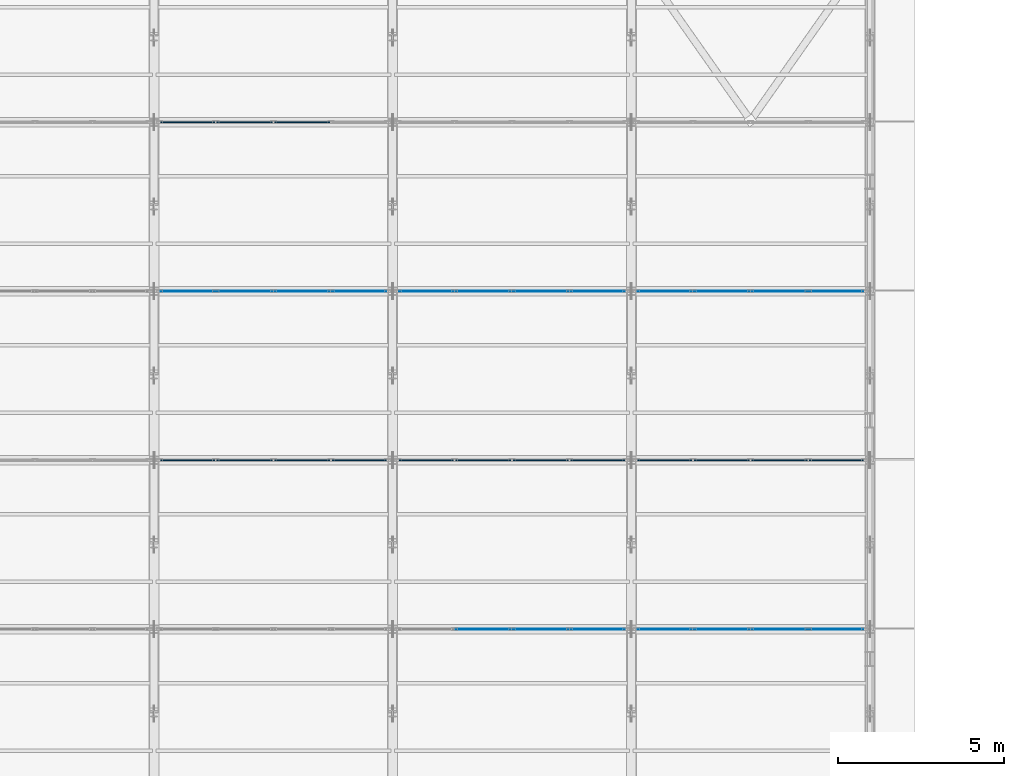
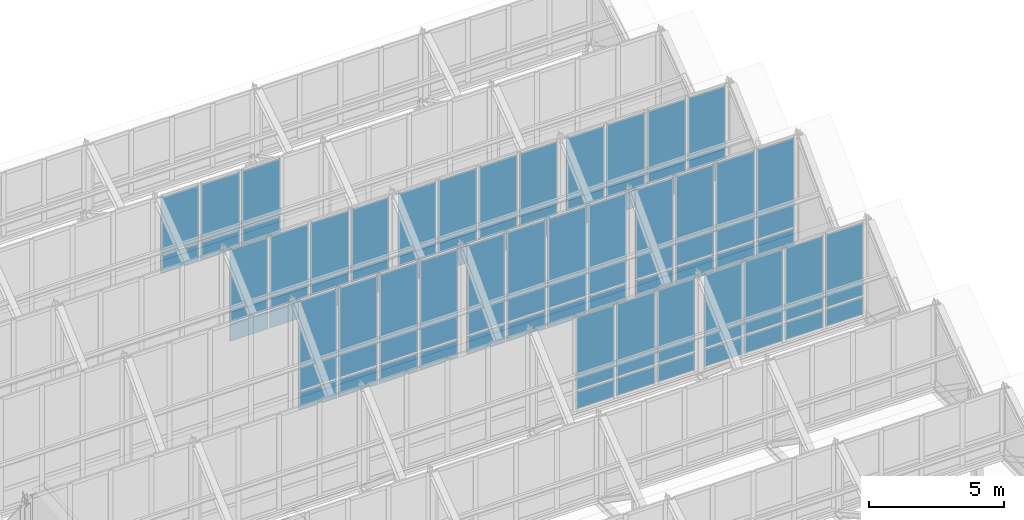
# One storey, part 103 of 157: 68 plates, 9 elements without a shape of their own.
"""IFC4 building model written with IfcOpenShell, lengths in metres."""

from ifc_helpers import new_model, si_unit, direction, frame, origin, origin_2d, place, context, subcontext, project, spatial, rectangle, extrude, material, layer, layer_set, type_object, element, aggregate, save


model = new_model("IFC4")

# Units and contexts
model_context = context("Model", 3, precision=1e-05, world=origin(), true_north=direction((0.0, 1.0)))
body_context = subcontext(model_context, "Body", "Model", "MODEL_VIEW")
ifc_project = project(units=[si_unit("LENGTHUNIT", "METRE"), si_unit("AREAUNIT", "SQUARE_METRE"), si_unit("VOLUMEUNIT", "CUBIC_METRE"), si_unit("PLANEANGLEUNIT", "RADIAN"), si_unit("MASSUNIT", "GRAM", prefix="KILO")], contexts=[model_context])

# Site, building, storey
site_placement = place(None, origin())
site = spatial("IfcSite", under=ifc_project, at=site_placement, CompositionType="ELEMENT")
building_placement = place(site_placement, origin())
building = spatial("IfcBuilding", under=site, at=building_placement, Name="Suanplinth Sawtooth Commons", CompositionType="ELEMENT")
storey_placement = place(building_placement, frame((0.0, 0.0, 9.0)))
storey = spatial("IfcBuildingStorey", under=building, at=storey_placement, Name="L02", CompositionType="ELEMENT", Elevation=9.0)

# Curtain wall, plates
ifc_material_1 = material(Name="Anodized aluminium and low-E glazing", Category="aluminium")
curtain_wall_type = type_object("IfcCurtainWallType", Name="CW-03", PredefinedType="USERDEFINED", material=ifc_material_1)
curtain_wall_1_placement = place(storey_placement, origin())
curtain_wall_1 = element("IfcCurtainWall", 1, at=curtain_wall_1_placement, inside=storey, type_object=curtain_wall_type, Name="Curtain Wall CW-SAW-T3-B6", ObjectType="CURTAIN WALL", PredefinedType="USERDEFINED")
ifc_material_2 = material(Name="Diffused north-light laminated glazing", Category="glass")
ifc_layer_1 = layer(ifc_material_2, 0.02587890625, Name="Sawtooth north-light diffused glazing panel 26mm")
ifc_layer_set_1 = layer_set([ifc_layer_1], Name="Diffused north-light laminated glazing")
plate_type_1 = type_object("IfcPlateType", Name="PL-07", PredefinedType="CURTAIN_PANEL", material=ifc_layer_set_1)
plate_1_placement = place(storey_placement, frame((103.530029296875, 65.699951171875, 3.054931640625), z_axis=(0.0, 0.0, 1.0), x_axis=(1.0, 0.0, 0.0)))
plate_1 = element("IfcPlate", 2, at=plate_1_placement, type_object=plate_type_1, Name="CW-03 panel 2.1", PredefinedType="CURTAIN_PANEL", context=body_context, shape_type="SweptSolid", body=[
    extrude(rectangle(XDim=1.6650390625, YDim=0.02587890625, at=origin_2d()), origin(), (0.0, 0.0, 1.0), 0.78759765625),
])
plate_2_placement = place(storey_placement, frame((103.530029296875, 65.699951171875, 3.91748046875), z_axis=(0.0, 0.0, 1.0), x_axis=(1.0, 0.0, 0.0)))
plate_2 = element("IfcPlate", 3, at=plate_2_placement, type_object=plate_type_1, Name="CW-03 panel 2.2", PredefinedType="CURTAIN_PANEL", context=body_context, shape_type="SweptSolid", body=[
    extrude(rectangle(XDim=1.6650390625, YDim=0.02587890625, at=origin_2d()), origin(), (0.0, 0.0, 1.0), 3.297607421875),
])
plate_3_placement = place(storey_placement, frame((105.27001953125, 65.699951171875, 3.054931640625), z_axis=(0.0, 0.0, 1.0), x_axis=(1.0, 0.0, 0.0)))
plate_3 = element("IfcPlate", 4, at=plate_3_placement, type_object=plate_type_1, Name="CW-03 panel 3.1", PredefinedType="CURTAIN_PANEL", context=body_context, shape_type="SweptSolid", body=[
    extrude(rectangle(XDim=1.6650390625, YDim=0.02587890625, at=origin_2d()), origin(), (0.0, 0.0, 1.0), 0.78759765625),
])
plate_4_placement = place(storey_placement, frame((105.27001953125, 65.699951171875, 3.91748046875), z_axis=(0.0, 0.0, 1.0), x_axis=(1.0, 0.0, 0.0)))
plate_4 = element("IfcPlate", 5, at=plate_4_placement, type_object=plate_type_1, Name="CW-03 panel 3.2", PredefinedType="CURTAIN_PANEL", context=body_context, shape_type="SweptSolid", body=[
    extrude(rectangle(XDim=1.6650390625, YDim=0.02587890625, at=origin_2d()), origin(), (0.0, 0.0, 1.0), 3.297607421875),
])
plate_5_placement = place(storey_placement, frame((106.9912109375, 65.699951171875, 3.054931640625), z_axis=(0.0, 0.0, 1.0), x_axis=(1.0, 0.0, 0.0)))
plate_5 = element("IfcPlate", 6, at=plate_5_placement, type_object=plate_type_1, Name="CW-03 panel 4.1", PredefinedType="CURTAIN_PANEL", context=body_context, shape_type="SweptSolid", body=[
    extrude(rectangle(XDim=1.62744140625, YDim=0.02587890625, at=origin_2d()), origin(), (0.0, 0.0, 1.0), 0.78759765625),
])
plate_6_placement = place(storey_placement, frame((106.9912109375, 65.699951171875, 3.91748046875), z_axis=(0.0, 0.0, 1.0), x_axis=(1.0, 0.0, 0.0)))
plate_6 = element("IfcPlate", 7, at=plate_6_placement, type_object=plate_type_1, Name="CW-03 panel 4.2", PredefinedType="CURTAIN_PANEL", context=body_context, shape_type="SweptSolid", body=[
    extrude(rectangle(XDim=1.62744140625, YDim=0.02587890625, at=origin_2d()), origin(), (0.0, 0.0, 1.0), 3.297607421875),
])
aggregate(curtain_wall_1, [plate_1, plate_2, plate_3, plate_4, plate_5, plate_6])

curtain_wall_2_placement = place(storey_placement, origin())
curtain_wall_2 = element("IfcCurtainWall", 8, at=curtain_wall_2_placement, inside=storey, type_object=curtain_wall_type, Name="Curtain Wall CW-SAW-T3-B7", ObjectType="CURTAIN WALL", PredefinedType="USERDEFINED")
plate_7_placement = place(storey_placement, frame((109.0087890625, 65.699951171875, 3.054931640625), z_axis=(0.0, 0.0, 1.0), x_axis=(1.0, 0.0, 0.0)))
plate_7 = element("IfcPlate", 9, at=plate_7_placement, type_object=plate_type_1, Name="CW-03 panel 1.1", PredefinedType="CURTAIN_PANEL", context=body_context, shape_type="SweptSolid", body=[
    extrude(rectangle(XDim=1.62744140625, YDim=0.02587890625, at=origin_2d()), origin(), (0.0, 0.0, 1.0), 0.78759765625),
])
plate_8_placement = place(storey_placement, frame((109.0087890625, 65.699951171875, 3.91748046875), z_axis=(0.0, 0.0, 1.0), x_axis=(1.0, 0.0, 0.0)))
plate_8 = element("IfcPlate", 10, at=plate_8_placement, type_object=plate_type_1, Name="CW-03 panel 1.2", PredefinedType="CURTAIN_PANEL", context=body_context, shape_type="SweptSolid", body=[
    extrude(rectangle(XDim=1.62744140625, YDim=0.02587890625, at=origin_2d()), origin(), (0.0, 0.0, 1.0), 3.297607421875),
])
plate_9_placement = place(storey_placement, frame((110.72998046875, 65.699951171875, 3.054931640625), z_axis=(0.0, 0.0, 1.0), x_axis=(1.0, 0.0, 0.0)))
plate_9 = element("IfcPlate", 11, at=plate_9_placement, type_object=plate_type_1, Name="CW-03 panel 2.1", PredefinedType="CURTAIN_PANEL", context=body_context, shape_type="SweptSolid", body=[
    extrude(rectangle(XDim=1.6650390625, YDim=0.02587890625, at=origin_2d()), origin(), (0.0, 0.0, 1.0), 0.78759765625),
])
plate_10_placement = place(storey_placement, frame((110.72998046875, 65.699951171875, 3.91748046875), z_axis=(0.0, 0.0, 1.0), x_axis=(1.0, 0.0, 0.0)))
plate_10 = element("IfcPlate", 12, at=plate_10_placement, type_object=plate_type_1, Name="CW-03 panel 2.2", PredefinedType="CURTAIN_PANEL", context=body_context, shape_type="SweptSolid", body=[
    extrude(rectangle(XDim=1.6650390625, YDim=0.02587890625, at=origin_2d()), origin(), (0.0, 0.0, 1.0), 3.297607421875),
])
plate_11_placement = place(storey_placement, frame((112.469970703125, 65.699951171875, 3.054931640625), z_axis=(0.0, 0.0, 1.0), x_axis=(1.0, 0.0, 0.0)))
plate_11 = element("IfcPlate", 13, at=plate_11_placement, type_object=plate_type_1, Name="CW-03 panel 3.1", PredefinedType="CURTAIN_PANEL", context=body_context, shape_type="SweptSolid", body=[
    extrude(rectangle(XDim=1.6650390625, YDim=0.02587890625, at=origin_2d()), origin(), (0.0, 0.0, 1.0), 0.78759765625),
])
plate_12_placement = place(storey_placement, frame((112.469970703125, 65.699951171875, 3.91748046875), z_axis=(0.0, 0.0, 1.0), x_axis=(1.0, 0.0, 0.0)))
plate_12 = element("IfcPlate", 14, at=plate_12_placement, type_object=plate_type_1, Name="CW-03 panel 3.2", PredefinedType="CURTAIN_PANEL", context=body_context, shape_type="SweptSolid", body=[
    extrude(rectangle(XDim=1.6650390625, YDim=0.02587890625, at=origin_2d()), origin(), (0.0, 0.0, 1.0), 3.297607421875),
])
plate_13_placement = place(storey_placement, frame((114.191162109375, 65.699951171875, 3.054931640625), z_axis=(0.0, 0.0, 1.0), x_axis=(1.0, 0.0, 0.0)))
plate_13 = element("IfcPlate", 15, at=plate_13_placement, type_object=plate_type_1, Name="CW-03 panel 4.1", PredefinedType="CURTAIN_PANEL", context=body_context, shape_type="SweptSolid", body=[
    extrude(rectangle(XDim=1.62744140625, YDim=0.02587890625, at=origin_2d()), origin(), (0.0, 0.0, 1.0), 0.78759765625),
])
plate_14_placement = place(storey_placement, frame((114.191162109375, 65.699951171875, 3.91748046875), z_axis=(0.0, 0.0, 1.0), x_axis=(1.0, 0.0, 0.0)))
plate_14 = element("IfcPlate", 16, at=plate_14_placement, type_object=plate_type_1, Name="CW-03 panel 4.2", PredefinedType="CURTAIN_PANEL", context=body_context, shape_type="SweptSolid", body=[
    extrude(rectangle(XDim=1.62744140625, YDim=0.02587890625, at=origin_2d()), origin(), (0.0, 0.0, 1.0), 3.297607421875),
])
aggregate(curtain_wall_2, [plate_7, plate_8, plate_9, plate_10, plate_11, plate_12, plate_13, plate_14])

curtain_wall_3_placement = place(storey_placement, origin())
curtain_wall_3 = element("IfcCurtainWall", 17, at=curtain_wall_3_placement, inside=storey, type_object=curtain_wall_type, Name="Curtain Wall CW-SAW-T5-B5", ObjectType="CURTAIN WALL", PredefinedType="USERDEFINED")
plate_15_placement = place(storey_placement, frame((94.608642578125, 75.89990234375, 3.054931640625), z_axis=(0.0, 0.0, 1.0), x_axis=(1.0, 0.0, 0.0)))
plate_15 = element("IfcPlate", 18, at=plate_15_placement, type_object=plate_type_1, Name="CW-03 panel 1.1", PredefinedType="CURTAIN_PANEL", context=body_context, shape_type="SweptSolid", body=[
    extrude(rectangle(XDim=1.62744140625, YDim=0.02587890625, at=origin_2d()), origin(), (0.0, 0.0, 1.0), 0.78759765625),
])
plate_16_placement = place(storey_placement, frame((94.608642578125, 75.89990234375, 3.91748046875), z_axis=(0.0, 0.0, 1.0), x_axis=(1.0, 0.0, 0.0)))
plate_16 = element("IfcPlate", 19, at=plate_16_placement, type_object=plate_type_1, Name="CW-03 panel 1.2", PredefinedType="CURTAIN_PANEL", context=body_context, shape_type="SweptSolid", body=[
    extrude(rectangle(XDim=1.62744140625, YDim=0.02587890625, at=origin_2d()), origin(), (0.0, 0.0, 1.0), 3.297607421875),
])
plate_17_placement = place(storey_placement, frame((96.330078125, 75.89990234375, 3.054931640625), z_axis=(0.0, 0.0, 1.0), x_axis=(1.0, 0.0, 0.0)))
plate_17 = element("IfcPlate", 20, at=plate_17_placement, type_object=plate_type_1, Name="CW-03 panel 2.1", PredefinedType="CURTAIN_PANEL", context=body_context, shape_type="SweptSolid", body=[
    extrude(rectangle(XDim=1.6650390625, YDim=0.02587890625, at=origin_2d()), origin(), (0.0, 0.0, 1.0), 0.78759765625),
])
plate_18_placement = place(storey_placement, frame((96.330078125, 75.89990234375, 3.91748046875), z_axis=(0.0, 0.0, 1.0), x_axis=(1.0, 0.0, 0.0)))
plate_18 = element("IfcPlate", 21, at=plate_18_placement, type_object=plate_type_1, Name="CW-03 panel 2.2", PredefinedType="CURTAIN_PANEL", context=body_context, shape_type="SweptSolid", body=[
    extrude(rectangle(XDim=1.6650390625, YDim=0.02587890625, at=origin_2d()), origin(), (0.0, 0.0, 1.0), 3.297607421875),
])
plate_19_placement = place(storey_placement, frame((98.070068359375, 75.89990234375, 3.054931640625), z_axis=(0.0, 0.0, 1.0), x_axis=(1.0, 0.0, 0.0)))
plate_19 = element("IfcPlate", 22, at=plate_19_placement, type_object=plate_type_1, Name="CW-03 panel 3.1", PredefinedType="CURTAIN_PANEL", context=body_context, shape_type="SweptSolid", body=[
    extrude(rectangle(XDim=1.6650390625, YDim=0.02587890625, at=origin_2d()), origin(), (0.0, 0.0, 1.0), 0.78759765625),
])
plate_20_placement = place(storey_placement, frame((98.070068359375, 75.89990234375, 3.91748046875), z_axis=(0.0, 0.0, 1.0), x_axis=(1.0, 0.0, 0.0)))
plate_20 = element("IfcPlate", 23, at=plate_20_placement, type_object=plate_type_1, Name="CW-03 panel 3.2", PredefinedType="CURTAIN_PANEL", context=body_context, shape_type="SweptSolid", body=[
    extrude(rectangle(XDim=1.6650390625, YDim=0.02587890625, at=origin_2d()), origin(), (0.0, 0.0, 1.0), 3.297607421875),
])
plate_21_placement = place(storey_placement, frame((99.791259765625, 75.89990234375, 3.054931640625), z_axis=(0.0, 0.0, 1.0), x_axis=(1.0, 0.0, 0.0)))
plate_21 = element("IfcPlate", 24, at=plate_21_placement, type_object=plate_type_1, Name="CW-03 panel 4.1", PredefinedType="CURTAIN_PANEL", context=body_context, shape_type="SweptSolid", body=[
    extrude(rectangle(XDim=1.62744140625, YDim=0.02587890625, at=origin_2d()), origin(), (0.0, 0.0, 1.0), 0.78759765625),
])
plate_22_placement = place(storey_placement, frame((99.791259765625, 75.89990234375, 3.91748046875), z_axis=(0.0, 0.0, 1.0), x_axis=(1.0, 0.0, 0.0)))
plate_22 = element("IfcPlate", 25, at=plate_22_placement, type_object=plate_type_1, Name="CW-03 panel 4.2", PredefinedType="CURTAIN_PANEL", context=body_context, shape_type="SweptSolid", body=[
    extrude(rectangle(XDim=1.62744140625, YDim=0.02587890625, at=origin_2d()), origin(), (0.0, 0.0, 1.0), 3.297607421875),
])
aggregate(curtain_wall_3, [plate_15, plate_16, plate_17, plate_18, plate_19, plate_20, plate_21, plate_22])

curtain_wall_4_placement = place(storey_placement, origin())
curtain_wall_4 = element("IfcCurtainWall", 26, at=curtain_wall_4_placement, inside=storey, type_object=curtain_wall_type, Name="Curtain Wall CW-SAW-T5-B6", ObjectType="CURTAIN WALL", PredefinedType="USERDEFINED")
plate_23_placement = place(storey_placement, frame((101.808837890625, 75.89990234375, 3.054931640625), z_axis=(0.0, 0.0, 1.0), x_axis=(1.0, 0.0, 0.0)))
plate_23 = element("IfcPlate", 27, at=plate_23_placement, type_object=plate_type_1, Name="CW-03 panel 1.1", PredefinedType="CURTAIN_PANEL", context=body_context, shape_type="SweptSolid", body=[
    extrude(rectangle(XDim=1.62744140625, YDim=0.02587890625, at=origin_2d()), origin(), (0.0, 0.0, 1.0), 0.78759765625),
])
plate_24_placement = place(storey_placement, frame((101.808837890625, 75.89990234375, 3.91748046875), z_axis=(0.0, 0.0, 1.0), x_axis=(1.0, 0.0, 0.0)))
plate_24 = element("IfcPlate", 28, at=plate_24_placement, type_object=plate_type_1, Name="CW-03 panel 1.2", PredefinedType="CURTAIN_PANEL", context=body_context, shape_type="SweptSolid", body=[
    extrude(rectangle(XDim=1.62744140625, YDim=0.02587890625, at=origin_2d()), origin(), (0.0, 0.0, 1.0), 3.297607421875),
])
plate_25_placement = place(storey_placement, frame((103.530029296875, 75.89990234375, 3.054931640625), z_axis=(0.0, 0.0, 1.0), x_axis=(1.0, 0.0, 0.0)))
plate_25 = element("IfcPlate", 29, at=plate_25_placement, type_object=plate_type_1, Name="CW-03 panel 2.1", PredefinedType="CURTAIN_PANEL", context=body_context, shape_type="SweptSolid", body=[
    extrude(rectangle(XDim=1.6650390625, YDim=0.02587890625, at=origin_2d()), origin(), (0.0, 0.0, 1.0), 0.78759765625),
])
plate_26_placement = place(storey_placement, frame((103.530029296875, 75.89990234375, 3.91748046875), z_axis=(0.0, 0.0, 1.0), x_axis=(1.0, 0.0, 0.0)))
plate_26 = element("IfcPlate", 30, at=plate_26_placement, type_object=plate_type_1, Name="CW-03 panel 2.2", PredefinedType="CURTAIN_PANEL", context=body_context, shape_type="SweptSolid", body=[
    extrude(rectangle(XDim=1.6650390625, YDim=0.02587890625, at=origin_2d()), origin(), (0.0, 0.0, 1.0), 3.297607421875),
])
plate_27_placement = place(storey_placement, frame((105.27001953125, 75.89990234375, 3.054931640625), z_axis=(0.0, 0.0, 1.0), x_axis=(1.0, 0.0, 0.0)))
plate_27 = element("IfcPlate", 31, at=plate_27_placement, type_object=plate_type_1, Name="CW-03 panel 3.1", PredefinedType="CURTAIN_PANEL", context=body_context, shape_type="SweptSolid", body=[
    extrude(rectangle(XDim=1.6650390625, YDim=0.02587890625, at=origin_2d()), origin(), (0.0, 0.0, 1.0), 0.78759765625),
])
plate_28_placement = place(storey_placement, frame((105.27001953125, 75.89990234375, 3.91748046875), z_axis=(0.0, 0.0, 1.0), x_axis=(1.0, 0.0, 0.0)))
plate_28 = element("IfcPlate", 32, at=plate_28_placement, type_object=plate_type_1, Name="CW-03 panel 3.2", PredefinedType="CURTAIN_PANEL", context=body_context, shape_type="SweptSolid", body=[
    extrude(rectangle(XDim=1.6650390625, YDim=0.02587890625, at=origin_2d()), origin(), (0.0, 0.0, 1.0), 3.297607421875),
])
plate_29_placement = place(storey_placement, frame((106.9912109375, 75.89990234375, 3.054931640625), z_axis=(0.0, 0.0, 1.0), x_axis=(1.0, 0.0, 0.0)))
plate_29 = element("IfcPlate", 33, at=plate_29_placement, type_object=plate_type_1, Name="CW-03 panel 4.1", PredefinedType="CURTAIN_PANEL", context=body_context, shape_type="SweptSolid", body=[
    extrude(rectangle(XDim=1.62744140625, YDim=0.02587890625, at=origin_2d()), origin(), (0.0, 0.0, 1.0), 0.78759765625),
])
plate_30_placement = place(storey_placement, frame((106.9912109375, 75.89990234375, 3.91748046875), z_axis=(0.0, 0.0, 1.0), x_axis=(1.0, 0.0, 0.0)))
plate_30 = element("IfcPlate", 34, at=plate_30_placement, type_object=plate_type_1, Name="CW-03 panel 4.2", PredefinedType="CURTAIN_PANEL", context=body_context, shape_type="SweptSolid", body=[
    extrude(rectangle(XDim=1.62744140625, YDim=0.02587890625, at=origin_2d()), origin(), (0.0, 0.0, 1.0), 3.297607421875),
])
aggregate(curtain_wall_4, [plate_23, plate_24, plate_25, plate_26, plate_27, plate_28, plate_29, plate_30])

curtain_wall_5_placement = place(storey_placement, origin())
curtain_wall_5 = element("IfcCurtainWall", 35, at=curtain_wall_5_placement, inside=storey, type_object=curtain_wall_type, Name="Curtain Wall CW-SAW-T5-B7", ObjectType="CURTAIN WALL", PredefinedType="USERDEFINED")
plate_31_placement = place(storey_placement, frame((109.0087890625, 75.89990234375, 3.054931640625), z_axis=(0.0, 0.0, 1.0), x_axis=(1.0, 0.0, 0.0)))
plate_31 = element("IfcPlate", 36, at=plate_31_placement, type_object=plate_type_1, Name="CW-03 panel 1.1", PredefinedType="CURTAIN_PANEL", context=body_context, shape_type="SweptSolid", body=[
    extrude(rectangle(XDim=1.62744140625, YDim=0.02587890625, at=origin_2d()), origin(), (0.0, 0.0, 1.0), 0.78759765625),
])
plate_32_placement = place(storey_placement, frame((109.0087890625, 75.89990234375, 3.91748046875), z_axis=(0.0, 0.0, 1.0), x_axis=(1.0, 0.0, 0.0)))
plate_32 = element("IfcPlate", 37, at=plate_32_placement, type_object=plate_type_1, Name="CW-03 panel 1.2", PredefinedType="CURTAIN_PANEL", context=body_context, shape_type="SweptSolid", body=[
    extrude(rectangle(XDim=1.62744140625, YDim=0.02587890625, at=origin_2d()), origin(), (0.0, 0.0, 1.0), 3.297607421875),
])
plate_33_placement = place(storey_placement, frame((110.72998046875, 75.89990234375, 3.054931640625), z_axis=(0.0, 0.0, 1.0), x_axis=(1.0, 0.0, 0.0)))
plate_33 = element("IfcPlate", 38, at=plate_33_placement, type_object=plate_type_1, Name="CW-03 panel 2.1", PredefinedType="CURTAIN_PANEL", context=body_context, shape_type="SweptSolid", body=[
    extrude(rectangle(XDim=1.6650390625, YDim=0.02587890625, at=origin_2d()), origin(), (0.0, 0.0, 1.0), 0.78759765625),
])
plate_34_placement = place(storey_placement, frame((110.72998046875, 75.89990234375, 3.91748046875), z_axis=(0.0, 0.0, 1.0), x_axis=(1.0, 0.0, 0.0)))
plate_34 = element("IfcPlate", 39, at=plate_34_placement, type_object=plate_type_1, Name="CW-03 panel 2.2", PredefinedType="CURTAIN_PANEL", context=body_context, shape_type="SweptSolid", body=[
    extrude(rectangle(XDim=1.6650390625, YDim=0.02587890625, at=origin_2d()), origin(), (0.0, 0.0, 1.0), 3.297607421875),
])
plate_35_placement = place(storey_placement, frame((112.469970703125, 75.89990234375, 3.054931640625), z_axis=(0.0, 0.0, 1.0), x_axis=(1.0, 0.0, 0.0)))
plate_35 = element("IfcPlate", 40, at=plate_35_placement, type_object=plate_type_1, Name="CW-03 panel 3.1", PredefinedType="CURTAIN_PANEL", context=body_context, shape_type="SweptSolid", body=[
    extrude(rectangle(XDim=1.6650390625, YDim=0.02587890625, at=origin_2d()), origin(), (0.0, 0.0, 1.0), 0.78759765625),
])
plate_36_placement = place(storey_placement, frame((112.469970703125, 75.89990234375, 3.91748046875), z_axis=(0.0, 0.0, 1.0), x_axis=(1.0, 0.0, 0.0)))
plate_36 = element("IfcPlate", 41, at=plate_36_placement, type_object=plate_type_1, Name="CW-03 panel 3.2", PredefinedType="CURTAIN_PANEL", context=body_context, shape_type="SweptSolid", body=[
    extrude(rectangle(XDim=1.6650390625, YDim=0.02587890625, at=origin_2d()), origin(), (0.0, 0.0, 1.0), 3.297607421875),
])
plate_37_placement = place(storey_placement, frame((114.191162109375, 75.89990234375, 3.054931640625), z_axis=(0.0, 0.0, 1.0), x_axis=(1.0, 0.0, 0.0)))
plate_37 = element("IfcPlate", 42, at=plate_37_placement, type_object=plate_type_1, Name="CW-03 panel 4.1", PredefinedType="CURTAIN_PANEL", context=body_context, shape_type="SweptSolid", body=[
    extrude(rectangle(XDim=1.62744140625, YDim=0.02587890625, at=origin_2d()), origin(), (0.0, 0.0, 1.0), 0.78759765625),
])
plate_38_placement = place(storey_placement, frame((114.191162109375, 75.89990234375, 3.91748046875), z_axis=(0.0, 0.0, 1.0), x_axis=(1.0, 0.0, 0.0)))
plate_38 = element("IfcPlate", 43, at=plate_38_placement, type_object=plate_type_1, Name="CW-03 panel 4.2", PredefinedType="CURTAIN_PANEL", context=body_context, shape_type="SweptSolid", body=[
    extrude(rectangle(XDim=1.62744140625, YDim=0.02587890625, at=origin_2d()), origin(), (0.0, 0.0, 1.0), 3.297607421875),
])
aggregate(curtain_wall_5, [plate_31, plate_32, plate_33, plate_34, plate_35, plate_36, plate_37, plate_38])

curtain_wall_6_placement = place(storey_placement, origin())
curtain_wall_6 = element("IfcCurtainWall", 44, at=curtain_wall_6_placement, inside=storey, type_object=curtain_wall_type, Name="Curtain Wall CW-SAW-T4-B5", ObjectType="CURTAIN WALL", PredefinedType="USERDEFINED")
ifc_material_3 = material(Name="Diffused solar-control north-light glazing", Category="glass")
ifc_layer_2 = layer(ifc_material_3, 0.033935546875, Name="Sawtooth upper diffused glazing panel 34mm")
ifc_layer_set_2 = layer_set([ifc_layer_2], Name="Diffused solar-control north-light glazing")
plate_type_2 = type_object("IfcPlateType", Name="PL-09", PredefinedType="CURTAIN_PANEL", material=ifc_layer_set_2)
plate_39_placement = place(storey_placement, frame((94.608642578125, 70.800048828125, 3.054931640625), z_axis=(0.0, 0.0, 1.0), x_axis=(1.0, 0.0, 0.0)))
plate_39 = element("IfcPlate", 45, at=plate_39_placement, type_object=plate_type_2, Name="CW-03 panel 1.1", PredefinedType="CURTAIN_PANEL", context=body_context, shape_type="SweptSolid", body=[
    extrude(rectangle(XDim=1.62744140625, YDim=0.033935546875, at=origin_2d()), origin(), (0.0, 0.0, 1.0), 0.78759765625),
])
plate_40_placement = place(storey_placement, frame((94.608642578125, 70.800048828125, 3.91748046875), z_axis=(0.0, 0.0, 1.0), x_axis=(1.0, 0.0, 0.0)))
plate_40 = element("IfcPlate", 46, at=plate_40_placement, type_object=plate_type_2, Name="CW-03 panel 1.2", PredefinedType="CURTAIN_PANEL", context=body_context, shape_type="SweptSolid", body=[
    extrude(rectangle(XDim=1.62744140625, YDim=0.033935546875, at=origin_2d()), origin(), (0.0, 0.0, 1.0), 4.047607421875),
])
plate_41_placement = place(storey_placement, frame((96.330078125, 70.800048828125, 3.054931640625), z_axis=(0.0, 0.0, 1.0), x_axis=(1.0, 0.0, 0.0)))
plate_41 = element("IfcPlate", 47, at=plate_41_placement, type_object=plate_type_2, Name="CW-03 panel 2.1", PredefinedType="CURTAIN_PANEL", context=body_context, shape_type="SweptSolid", body=[
    extrude(rectangle(XDim=1.6650390625, YDim=0.033935546875, at=origin_2d()), origin(), (0.0, 0.0, 1.0), 0.78759765625),
])
plate_42_placement = place(storey_placement, frame((96.330078125, 70.800048828125, 3.91748046875), z_axis=(0.0, 0.0, 1.0), x_axis=(1.0, 0.0, 0.0)))
plate_42 = element("IfcPlate", 48, at=plate_42_placement, type_object=plate_type_2, Name="CW-03 panel 2.2", PredefinedType="CURTAIN_PANEL", context=body_context, shape_type="SweptSolid", body=[
    extrude(rectangle(XDim=1.6650390625, YDim=0.033935546875, at=origin_2d()), origin(), (0.0, 0.0, 1.0), 4.047607421875),
])
plate_43_placement = place(storey_placement, frame((98.070068359375, 70.800048828125, 3.054931640625), z_axis=(0.0, 0.0, 1.0), x_axis=(1.0, 0.0, 0.0)))
plate_43 = element("IfcPlate", 49, at=plate_43_placement, type_object=plate_type_2, Name="CW-03 panel 3.1", PredefinedType="CURTAIN_PANEL", context=body_context, shape_type="SweptSolid", body=[
    extrude(rectangle(XDim=1.6650390625, YDim=0.033935546875, at=origin_2d()), origin(), (0.0, 0.0, 1.0), 0.78759765625),
])
plate_44_placement = place(storey_placement, frame((98.070068359375, 70.800048828125, 3.91748046875), z_axis=(0.0, 0.0, 1.0), x_axis=(1.0, 0.0, 0.0)))
plate_44 = element("IfcPlate", 50, at=plate_44_placement, type_object=plate_type_2, Name="CW-03 panel 3.2", PredefinedType="CURTAIN_PANEL", context=body_context, shape_type="SweptSolid", body=[
    extrude(rectangle(XDim=1.6650390625, YDim=0.033935546875, at=origin_2d()), origin(), (0.0, 0.0, 1.0), 4.047607421875),
])
plate_45_placement = place(storey_placement, frame((99.791259765625, 70.800048828125, 3.054931640625), z_axis=(0.0, 0.0, 1.0), x_axis=(1.0, 0.0, 0.0)))
plate_45 = element("IfcPlate", 51, at=plate_45_placement, type_object=plate_type_2, Name="CW-03 panel 4.1", PredefinedType="CURTAIN_PANEL", context=body_context, shape_type="SweptSolid", body=[
    extrude(rectangle(XDim=1.62744140625, YDim=0.033935546875, at=origin_2d()), origin(), (0.0, 0.0, 1.0), 0.78759765625),
])
plate_46_placement = place(storey_placement, frame((99.791259765625, 70.800048828125, 3.91748046875), z_axis=(0.0, 0.0, 1.0), x_axis=(1.0, 0.0, 0.0)))
plate_46 = element("IfcPlate", 52, at=plate_46_placement, type_object=plate_type_2, Name="CW-03 panel 4.2", PredefinedType="CURTAIN_PANEL", context=body_context, shape_type="SweptSolid", body=[
    extrude(rectangle(XDim=1.62744140625, YDim=0.033935546875, at=origin_2d()), origin(), (0.0, 0.0, 1.0), 4.047607421875),
])
aggregate(curtain_wall_6, [plate_39, plate_40, plate_41, plate_42, plate_43, plate_44, plate_45, plate_46])

curtain_wall_7_placement = place(storey_placement, origin())
curtain_wall_7 = element("IfcCurtainWall", 53, at=curtain_wall_7_placement, inside=storey, type_object=curtain_wall_type, Name="Curtain Wall CW-SAW-T4-B6", ObjectType="CURTAIN WALL", PredefinedType="USERDEFINED")
plate_47_placement = place(storey_placement, frame((101.808837890625, 70.800048828125, 3.054931640625), z_axis=(0.0, 0.0, 1.0), x_axis=(1.0, 0.0, 0.0)))
plate_47 = element("IfcPlate", 54, at=plate_47_placement, type_object=plate_type_2, Name="CW-03 panel 1.1", PredefinedType="CURTAIN_PANEL", context=body_context, shape_type="SweptSolid", body=[
    extrude(rectangle(XDim=1.62744140625, YDim=0.033935546875, at=origin_2d()), origin(), (0.0, 0.0, 1.0), 0.78759765625),
])
plate_48_placement = place(storey_placement, frame((101.808837890625, 70.800048828125, 3.91748046875), z_axis=(0.0, 0.0, 1.0), x_axis=(1.0, 0.0, 0.0)))
plate_48 = element("IfcPlate", 55, at=plate_48_placement, type_object=plate_type_2, Name="CW-03 panel 1.2", PredefinedType="CURTAIN_PANEL", context=body_context, shape_type="SweptSolid", body=[
    extrude(rectangle(XDim=1.62744140625, YDim=0.033935546875, at=origin_2d()), origin(), (0.0, 0.0, 1.0), 4.047607421875),
])
plate_49_placement = place(storey_placement, frame((103.530029296875, 70.800048828125, 3.054931640625), z_axis=(0.0, 0.0, 1.0), x_axis=(1.0, 0.0, 0.0)))
plate_49 = element("IfcPlate", 56, at=plate_49_placement, type_object=plate_type_2, Name="CW-03 panel 2.1", PredefinedType="CURTAIN_PANEL", context=body_context, shape_type="SweptSolid", body=[
    extrude(rectangle(XDim=1.6650390625, YDim=0.033935546875, at=origin_2d()), origin(), (0.0, 0.0, 1.0), 0.78759765625),
])
plate_50_placement = place(storey_placement, frame((103.530029296875, 70.800048828125, 3.91748046875), z_axis=(0.0, 0.0, 1.0), x_axis=(1.0, 0.0, 0.0)))
plate_50 = element("IfcPlate", 57, at=plate_50_placement, type_object=plate_type_2, Name="CW-03 panel 2.2", PredefinedType="CURTAIN_PANEL", context=body_context, shape_type="SweptSolid", body=[
    extrude(rectangle(XDim=1.6650390625, YDim=0.033935546875, at=origin_2d()), origin(), (0.0, 0.0, 1.0), 4.047607421875),
])
plate_51_placement = place(storey_placement, frame((105.27001953125, 70.800048828125, 3.054931640625), z_axis=(0.0, 0.0, 1.0), x_axis=(1.0, 0.0, 0.0)))
plate_51 = element("IfcPlate", 58, at=plate_51_placement, type_object=plate_type_2, Name="CW-03 panel 3.1", PredefinedType="CURTAIN_PANEL", context=body_context, shape_type="SweptSolid", body=[
    extrude(rectangle(XDim=1.6650390625, YDim=0.033935546875, at=origin_2d()), origin(), (0.0, 0.0, 1.0), 0.78759765625),
])
plate_52_placement = place(storey_placement, frame((105.27001953125, 70.800048828125, 3.91748046875), z_axis=(0.0, 0.0, 1.0), x_axis=(1.0, 0.0, 0.0)))
plate_52 = element("IfcPlate", 59, at=plate_52_placement, type_object=plate_type_2, Name="CW-03 panel 3.2", PredefinedType="CURTAIN_PANEL", context=body_context, shape_type="SweptSolid", body=[
    extrude(rectangle(XDim=1.6650390625, YDim=0.033935546875, at=origin_2d()), origin(), (0.0, 0.0, 1.0), 4.047607421875),
])
plate_53_placement = place(storey_placement, frame((106.9912109375, 70.800048828125, 3.054931640625), z_axis=(0.0, 0.0, 1.0), x_axis=(1.0, 0.0, 0.0)))
plate_53 = element("IfcPlate", 60, at=plate_53_placement, type_object=plate_type_2, Name="CW-03 panel 4.1", PredefinedType="CURTAIN_PANEL", context=body_context, shape_type="SweptSolid", body=[
    extrude(rectangle(XDim=1.62744140625, YDim=0.033935546875, at=origin_2d()), origin(), (0.0, 0.0, 1.0), 0.78759765625),
])
plate_54_placement = place(storey_placement, frame((106.9912109375, 70.800048828125, 3.91748046875), z_axis=(0.0, 0.0, 1.0), x_axis=(1.0, 0.0, 0.0)))
plate_54 = element("IfcPlate", 61, at=plate_54_placement, type_object=plate_type_2, Name="CW-03 panel 4.2", PredefinedType="CURTAIN_PANEL", context=body_context, shape_type="SweptSolid", body=[
    extrude(rectangle(XDim=1.62744140625, YDim=0.033935546875, at=origin_2d()), origin(), (0.0, 0.0, 1.0), 4.047607421875),
])
aggregate(curtain_wall_7, [plate_47, plate_48, plate_49, plate_50, plate_51, plate_52, plate_53, plate_54])

curtain_wall_8_placement = place(storey_placement, origin())
curtain_wall_8 = element("IfcCurtainWall", 62, at=curtain_wall_8_placement, inside=storey, type_object=curtain_wall_type, Name="Curtain Wall CW-SAW-T4-B7", ObjectType="CURTAIN WALL", PredefinedType="USERDEFINED")
plate_55_placement = place(storey_placement, frame((109.0087890625, 70.800048828125, 3.054931640625), z_axis=(0.0, 0.0, 1.0), x_axis=(1.0, 0.0, 0.0)))
plate_55 = element("IfcPlate", 63, at=plate_55_placement, type_object=plate_type_2, Name="CW-03 panel 1.1", PredefinedType="CURTAIN_PANEL", context=body_context, shape_type="SweptSolid", body=[
    extrude(rectangle(XDim=1.62744140625, YDim=0.033935546875, at=origin_2d()), origin(), (0.0, 0.0, 1.0), 0.78759765625),
])
plate_56_placement = place(storey_placement, frame((109.0087890625, 70.800048828125, 3.91748046875), z_axis=(0.0, 0.0, 1.0), x_axis=(1.0, 0.0, 0.0)))
plate_56 = element("IfcPlate", 64, at=plate_56_placement, type_object=plate_type_2, Name="CW-03 panel 1.2", PredefinedType="CURTAIN_PANEL", context=body_context, shape_type="SweptSolid", body=[
    extrude(rectangle(XDim=1.62744140625, YDim=0.033935546875, at=origin_2d()), origin(), (0.0, 0.0, 1.0), 4.047607421875),
])
plate_57_placement = place(storey_placement, frame((110.72998046875, 70.800048828125, 3.054931640625), z_axis=(0.0, 0.0, 1.0), x_axis=(1.0, 0.0, 0.0)))
plate_57 = element("IfcPlate", 65, at=plate_57_placement, type_object=plate_type_2, Name="CW-03 panel 2.1", PredefinedType="CURTAIN_PANEL", context=body_context, shape_type="SweptSolid", body=[
    extrude(rectangle(XDim=1.6650390625, YDim=0.033935546875, at=origin_2d()), origin(), (0.0, 0.0, 1.0), 0.78759765625),
])
plate_58_placement = place(storey_placement, frame((110.72998046875, 70.800048828125, 3.91748046875), z_axis=(0.0, 0.0, 1.0), x_axis=(1.0, 0.0, 0.0)))
plate_58 = element("IfcPlate", 66, at=plate_58_placement, type_object=plate_type_2, Name="CW-03 panel 2.2", PredefinedType="CURTAIN_PANEL", context=body_context, shape_type="SweptSolid", body=[
    extrude(rectangle(XDim=1.6650390625, YDim=0.033935546875, at=origin_2d()), origin(), (0.0, 0.0, 1.0), 4.047607421875),
])
plate_59_placement = place(storey_placement, frame((112.469970703125, 70.800048828125, 3.054931640625), z_axis=(0.0, 0.0, 1.0), x_axis=(1.0, 0.0, 0.0)))
plate_59 = element("IfcPlate", 67, at=plate_59_placement, type_object=plate_type_2, Name="CW-03 panel 3.1", PredefinedType="CURTAIN_PANEL", context=body_context, shape_type="SweptSolid", body=[
    extrude(rectangle(XDim=1.6650390625, YDim=0.033935546875, at=origin_2d()), origin(), (0.0, 0.0, 1.0), 0.78759765625),
])
plate_60_placement = place(storey_placement, frame((112.469970703125, 70.800048828125, 3.91748046875), z_axis=(0.0, 0.0, 1.0), x_axis=(1.0, 0.0, 0.0)))
plate_60 = element("IfcPlate", 68, at=plate_60_placement, type_object=plate_type_2, Name="CW-03 panel 3.2", PredefinedType="CURTAIN_PANEL", context=body_context, shape_type="SweptSolid", body=[
    extrude(rectangle(XDim=1.6650390625, YDim=0.033935546875, at=origin_2d()), origin(), (0.0, 0.0, 1.0), 4.047607421875),
])
plate_61_placement = place(storey_placement, frame((114.191162109375, 70.800048828125, 3.054931640625), z_axis=(0.0, 0.0, 1.0), x_axis=(1.0, 0.0, 0.0)))
plate_61 = element("IfcPlate", 69, at=plate_61_placement, type_object=plate_type_2, Name="CW-03 panel 4.1", PredefinedType="CURTAIN_PANEL", context=body_context, shape_type="SweptSolid", body=[
    extrude(rectangle(XDim=1.62744140625, YDim=0.033935546875, at=origin_2d()), origin(), (0.0, 0.0, 1.0), 0.78759765625),
])
plate_62_placement = place(storey_placement, frame((114.191162109375, 70.800048828125, 3.91748046875), z_axis=(0.0, 0.0, 1.0), x_axis=(1.0, 0.0, 0.0)))
plate_62 = element("IfcPlate", 70, at=plate_62_placement, type_object=plate_type_2, Name="CW-03 panel 4.2", PredefinedType="CURTAIN_PANEL", context=body_context, shape_type="SweptSolid", body=[
    extrude(rectangle(XDim=1.62744140625, YDim=0.033935546875, at=origin_2d()), origin(), (0.0, 0.0, 1.0), 4.047607421875),
])
aggregate(curtain_wall_8, [plate_55, plate_56, plate_57, plate_58, plate_59, plate_60, plate_61, plate_62])

curtain_wall_9_placement = place(storey_placement, origin())
curtain_wall_9 = element("IfcCurtainWall", 71, at=curtain_wall_9_placement, inside=storey, type_object=curtain_wall_type, Name="Curtain Wall CW-SAW-T6-B5", ObjectType="CURTAIN WALL", PredefinedType="USERDEFINED")
plate_63_placement = place(storey_placement, frame((94.608642578125, 81.0, 3.054931640625), z_axis=(0.0, 0.0, 1.0), x_axis=(1.0, 0.0, 0.0)))
plate_63 = element("IfcPlate", 72, at=plate_63_placement, type_object=plate_type_2, Name="CW-03 panel 1.1", PredefinedType="CURTAIN_PANEL", context=body_context, shape_type="SweptSolid", body=[
    extrude(rectangle(XDim=1.62744140625, YDim=0.033935546875, at=origin_2d()), origin(), (0.0, 0.0, 1.0), 0.78759765625),
])
plate_64_placement = place(storey_placement, frame((94.608642578125, 81.0, 3.91748046875), z_axis=(0.0, 0.0, 1.0), x_axis=(1.0, 0.0, 0.0)))
plate_64 = element("IfcPlate", 73, at=plate_64_placement, type_object=plate_type_2, Name="CW-03 panel 1.2", PredefinedType="CURTAIN_PANEL", context=body_context, shape_type="SweptSolid", body=[
    extrude(rectangle(XDim=1.62744140625, YDim=0.033935546875, at=origin_2d()), origin(), (0.0, 0.0, 1.0), 2.547607421875),
])
plate_65_placement = place(storey_placement, frame((96.330078125, 81.0, 3.054931640625), z_axis=(0.0, 0.0, 1.0), x_axis=(1.0, 0.0, 0.0)))
plate_65 = element("IfcPlate", 74, at=plate_65_placement, type_object=plate_type_2, Name="CW-03 panel 2.1", PredefinedType="CURTAIN_PANEL", context=body_context, shape_type="SweptSolid", body=[
    extrude(rectangle(XDim=1.6650390625, YDim=0.033935546875, at=origin_2d()), origin(), (0.0, 0.0, 1.0), 0.78759765625),
])
plate_66_placement = place(storey_placement, frame((96.330078125, 81.0, 3.91748046875), z_axis=(0.0, 0.0, 1.0), x_axis=(1.0, 0.0, 0.0)))
plate_66 = element("IfcPlate", 75, at=plate_66_placement, type_object=plate_type_2, Name="CW-03 panel 2.2", PredefinedType="CURTAIN_PANEL", context=body_context, shape_type="SweptSolid", body=[
    extrude(rectangle(XDim=1.6650390625, YDim=0.033935546875, at=origin_2d()), origin(), (0.0, 0.0, 1.0), 2.547607421875),
])
plate_67_placement = place(storey_placement, frame((98.070068359375, 81.0, 3.054931640625), z_axis=(0.0, 0.0, 1.0), x_axis=(1.0, 0.0, 0.0)))
plate_67 = element("IfcPlate", 76, at=plate_67_placement, type_object=plate_type_2, Name="CW-03 panel 3.1", PredefinedType="CURTAIN_PANEL", context=body_context, shape_type="SweptSolid", body=[
    extrude(rectangle(XDim=1.6650390625, YDim=0.033935546875, at=origin_2d()), origin(), (0.0, 0.0, 1.0), 0.78759765625),
])
plate_68_placement = place(storey_placement, frame((98.070068359375, 81.0, 3.91748046875), z_axis=(0.0, 0.0, 1.0), x_axis=(1.0, 0.0, 0.0)))
plate_68 = element("IfcPlate", 77, at=plate_68_placement, type_object=plate_type_2, Name="CW-03 panel 3.2", PredefinedType="CURTAIN_PANEL", context=body_context, shape_type="SweptSolid", body=[
    extrude(rectangle(XDim=1.6650390625, YDim=0.033935546875, at=origin_2d()), origin(), (0.0, 0.0, 1.0), 2.547607421875),
])
aggregate(curtain_wall_9, [plate_63, plate_64, plate_65, plate_66, plate_67, plate_68])

save(model, "model.ifc")
